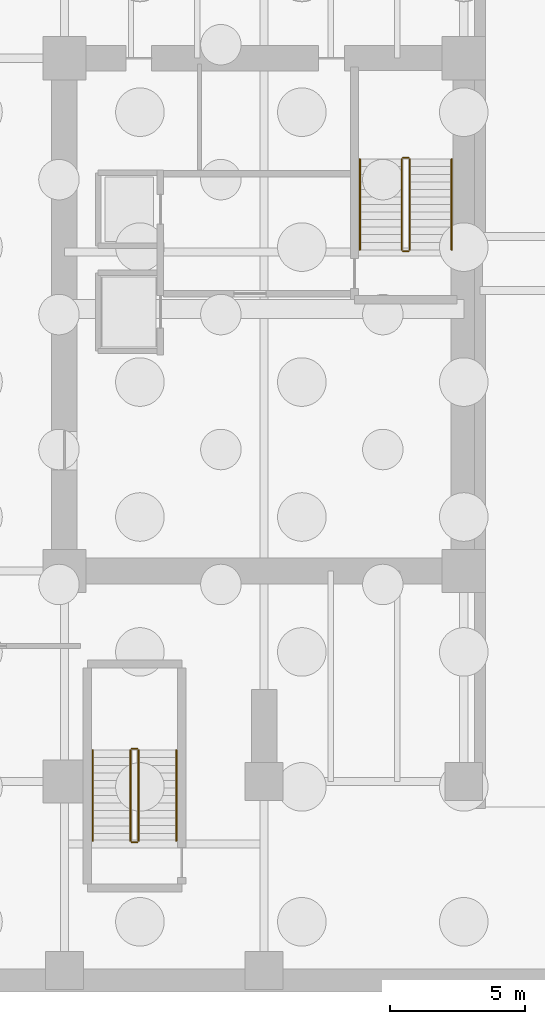
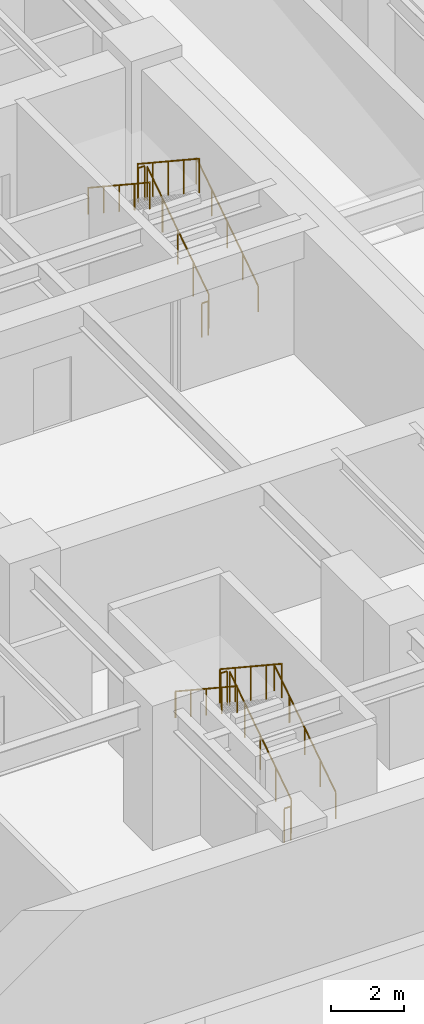
# One storey, part 7 of 8: 12 railings.
"""IFC4 building model written with IfcOpenShell, lengths in metres."""

from ifc_helpers import new_model, si_unit, direction, frame, origin, origin_2d, place, context, subcontext, project, spatial, circle, extrude, source, transform, mapped, material, type_object, type_shapes, element, save


model = new_model("IFC4")

# Units and contexts
model_context = context("Model", 3, precision=1e-05, world=origin(), true_north=direction((0.0, 1.0)))
body_context = subcontext(model_context, "Body", "Model", "MODEL_VIEW")
ifc_project = project(units=[si_unit("LENGTHUNIT", "METRE"), si_unit("AREAUNIT", "SQUARE_METRE"), si_unit("VOLUMEUNIT", "CUBIC_METRE"), si_unit("PLANEANGLEUNIT", "RADIAN"), si_unit("MASSUNIT", "GRAM", prefix="KILO")], contexts=[model_context])

# Site, building, storey
site_placement = place(None, origin())
site = spatial("IfcSite", under=ifc_project, at=site_placement, CompositionType="ELEMENT")
building_placement = place(site_placement, origin())
building = spatial("IfcBuilding", under=site, at=building_placement, Name="Haelvirn Gate Laboratories", CompositionType="ELEMENT")
storey_placement = place(building_placement, frame((0.0, 0.0, -14.39990234375)))
storey = spatial("IfcBuildingStorey", under=building, at=storey_placement, Name="B3", CompositionType="ELEMENT", Elevation=-14.39990234375)

# Railings
ifc_material_1 = material(Name="Galvanised steel SM355 & stainless top rail", Category="steel")
railing_type_1 = type_object("IfcRailingType", Name="RL-GUARD-1150", PredefinedType="GUARDRAIL", material=ifc_material_1)
shared_shape_1 = source(origin(), body_context, "Body", "SweptSolid", [
    extrude(circle(Radius=0.02392578125, at=origin_2d()), frame((0.0, 0.0, 1.1259765625), z_axis=(0.0, 0.834876476806, 0.550437342915), x_axis=(-1.0, 0.0, 0.0)), (0.0, 0.0, 1.0), 4.024658203125),
    extrude(circle(Radius=0.02099609375, at=origin_2d()), origin(), (0.0, 0.0, 1.0), 1.101806640625),
    extrude(circle(Radius=0.02099609375, at=origin_2d()), frame((0.0, 0.840087890625, 0.5537109375)), (0.0, 0.0, 1.0), 1.101806640625),
    extrude(circle(Radius=0.02099609375, at=origin_2d()), frame((0.0, 1.68017578125, 1.107666015625)), (0.0, 0.0, 1.0), 1.101806640625),
    extrude(circle(Radius=0.02099609375, at=origin_2d()), frame((0.0, 2.52001953125, 1.66162109375)), (0.0, 0.0, 1.0), 1.101806640625),
    extrude(circle(Radius=0.02099609375, at=origin_2d()), frame((0.0, 3.360107421875, 2.21533203125)), (0.0, 0.0, 1.0), 1.101806640625),
])
railing_1_placement = place(storey_placement, frame((65.39990234375, 26.699951171875, 0.1845703125)))
element("IfcRailing", 1, at=railing_1_placement, inside=storey, type_object=railing_type_1, Name="B3 ST2 stair guard 1", PredefinedType="GUARDRAIL", context=body_context, shape_type="MappedRepresentation", body=[
    mapped(shared_shape_1, transform((0.0, 0.0, 0.0), scale=1.0)),
])
shared_shape_2 = source(origin(), body_context, "Body", "SweptSolid", [
    extrude(circle(Radius=0.02392578125, at=origin_2d()), frame((0.0, 0.0, 1.1259765625), z_axis=(-1.0, 0.0, 0.0), x_axis=(0.0, -1.0, 0.0)), (0.0, 0.0, 1.0), 0.199951171875),
    extrude(circle(Radius=0.02099609375, at=origin_2d()), origin(), (0.0, 0.0, 1.0), 1.101806640625),
    extrude(circle(Radius=0.02099609375, at=origin_2d()), frame((-0.199951171875, 0.0, 0.0)), (0.0, 0.0, 1.0), 1.101806640625),
])
for number, where, name in (
    (2, (55.300048828125, 8.2099609375, 2.39990234375), "B3 ST4 stair guard 2"),
    (3, (55.300048828125, 4.75, 0.0), "B3 ST4 stair guard 4"),
):
    element("IfcRailing", number, at=place(storey_placement, frame(where)), inside=storey, type_object=railing_type_1, Name=name, PredefinedType="GUARDRAIL", context=body_context, shape_type="MappedRepresentation", body=[
        mapped(shared_shape_2, transform((0.0, 0.0, 0.0), scale=1.0)),
    ])
shared_shape_3 = source(origin(), body_context, "Body", "SweptSolid", [
    extrude(circle(Radius=0.02392578125, at=origin_2d()), frame((0.0, 0.0, 1.1259765625), z_axis=(0.0, -0.834876476806, 0.550437342915), x_axis=(1.0, 0.0, 0.0)), (0.0, 0.0, 1.0), 4.024658203125),
    extrude(circle(Radius=0.02099609375, at=origin_2d()), origin(), (0.0, 0.0, 1.0), 1.101806640625),
    extrude(circle(Radius=0.02099609375, at=origin_2d()), frame((0.0, -0.840087890625, 0.5537109375)), (0.0, 0.0, 1.0), 1.101806640625),
    extrude(circle(Radius=0.02099609375, at=origin_2d()), frame((0.0, -1.68017578125, 1.107666015625)), (0.0, 0.0, 1.0), 1.101806640625),
    extrude(circle(Radius=0.02099609375, at=origin_2d()), frame((0.0, -2.52001953125, 1.66162109375)), (0.0, 0.0, 1.0), 1.101806640625),
    extrude(circle(Radius=0.02099609375, at=origin_2d()), frame((0.0, -3.360107421875, 2.21533203125)), (0.0, 0.0, 1.0), 1.101806640625),
])
railing_2_placement = place(storey_placement, frame((65.10009765625, 30.06005859375, 2.58447265625)))
element("IfcRailing", 4, at=railing_2_placement, inside=storey, type_object=railing_type_1, Name="B3 ST2 stair guard 3", PredefinedType="GUARDRAIL", context=body_context, shape_type="MappedRepresentation", body=[
    mapped(shared_shape_3, transform((0.0, 0.0, 0.0), scale=1.0)),
])
ifc_material_2 = material(Name="Brushed stainless steel 316L", Category="steel")
railing_type_2 = type_object("IfcRailingType", Name="RL-HAND-920", PredefinedType="HANDRAIL", material=ifc_material_2)
shared_shape_4 = source(origin(), body_context, "Body", "SweptSolid", [
    extrude(circle(Radius=0.02392578125, at=origin_2d()), frame((0.0, 0.0, 0.8759765625), z_axis=(0.0, 0.834876476806, 0.550437342915), x_axis=(-1.0, 0.0, 0.0)), (0.0, 0.0, 1.0), 4.024658203125),
    extrude(circle(Radius=0.02099609375, at=origin_2d()), origin(), (0.0, 0.0, 1.0), 0.851806640625),
    extrude(circle(Radius=0.02099609375, at=origin_2d()), frame((0.0, 0.840087890625, 0.5537109375)), (0.0, 0.0, 1.0), 0.851806640625),
    extrude(circle(Radius=0.02099609375, at=origin_2d()), frame((0.0, 1.68017578125, 1.107666015625)), (0.0, 0.0, 1.0), 0.851806640625),
    extrude(circle(Radius=0.02099609375, at=origin_2d()), frame((0.0, 2.52001953125, 1.66162109375)), (0.0, 0.0, 1.0), 0.851806640625),
    extrude(circle(Radius=0.02099609375, at=origin_2d()), frame((0.0, 3.360107421875, 2.21533203125)), (0.0, 0.0, 1.0), 0.851806640625),
])
railing_3_placement = place(storey_placement, frame((66.949951171875, 26.699951171875, 0.1845703125)))
element("IfcRailing", 5, at=railing_3_placement, inside=storey, type_object=railing_type_2, Name="B3 ST2 stair handrail 1", PredefinedType="HANDRAIL", context=body_context, shape_type="MappedRepresentation", body=[
    mapped(shared_shape_4, transform((0.0, 0.0, 0.0), scale=1.0)),
])
shared_shape_5 = source(origin(), body_context, "Body", "SweptSolid", [
    extrude(circle(Radius=0.02392578125, at=origin_2d()), frame((0.0, 0.0, 0.8759765625), z_axis=(0.0, -0.834876476806, 0.550437342915), x_axis=(1.0, 0.0, 0.0)), (0.0, 0.0, 1.0), 4.024658203125),
    extrude(circle(Radius=0.02099609375, at=origin_2d()), origin(), (0.0, 0.0, 1.0), 0.851806640625),
    extrude(circle(Radius=0.02099609375, at=origin_2d()), frame((0.0, -0.840087890625, 0.5537109375)), (0.0, 0.0, 1.0), 0.851806640625),
    extrude(circle(Radius=0.02099609375, at=origin_2d()), frame((0.0, -1.68017578125, 1.107666015625)), (0.0, 0.0, 1.0), 0.851806640625),
    extrude(circle(Radius=0.02099609375, at=origin_2d()), frame((0.0, -2.52001953125, 1.66162109375)), (0.0, 0.0, 1.0), 0.851806640625),
    extrude(circle(Radius=0.02099609375, at=origin_2d()), frame((0.0, -3.360107421875, 2.21533203125)), (0.0, 0.0, 1.0), 0.851806640625),
])
railing_4_placement = place(storey_placement, frame((63.550048828125, 30.06005859375, 2.58447265625)))
element("IfcRailing", 6, at=railing_4_placement, inside=storey, type_object=railing_type_2, Name="B3 ST2 stair handrail 2", PredefinedType="HANDRAIL", context=body_context, shape_type="MappedRepresentation", body=[
    mapped(shared_shape_5, transform((0.0, 0.0, 0.0), scale=1.0)),
])
shared_shape_6 = source(origin(), body_context, "Body", "SweptSolid", [
    extrude(circle(Radius=0.02392578125, at=origin_2d()), frame((0.0, 0.0, 1.1259765625), z_axis=(-1.0, 0.0, 0.0), x_axis=(0.0, -1.0, 0.0)), (0.0, 0.0, 1.0), 0.2001953125),
    extrude(circle(Radius=0.02099609375, at=origin_2d()), origin(), (0.0, 0.0, 1.0), 1.101806640625),
    extrude(circle(Radius=0.02099609375, at=origin_2d()), frame((-0.2001953125, 0.0, 0.0)), (0.0, 0.0, 1.0), 1.101806640625),
])
for number, where, name in (
    (7, (65.35009765625, 30.110107421875, 2.39990234375), "B3 ST2 stair guard 2"),
    (8, (65.35009765625, 26.64990234375, 0.0), "B3 ST2 stair guard 4"),
):
    element("IfcRailing", number, at=place(storey_placement, frame(where)), inside=storey, type_object=railing_type_1, Name=name, PredefinedType="GUARDRAIL", context=body_context, shape_type="MappedRepresentation", body=[
        mapped(shared_shape_6, transform((0.0, 0.0, 0.0), scale=1.0)),
    ])
shared_shape_7 = source(origin(), body_context, "Body", "SweptSolid", [
    extrude(circle(Radius=0.02392578125, at=origin_2d()), frame((0.0, 0.0, 1.1259765625), z_axis=(0.0, 0.834858096282, 0.550465220583), x_axis=(-1.0, 0.0, 0.0)), (0.0, 0.0, 1.0), 4.0244140625),
    extrude(circle(Radius=0.02099609375, at=origin_2d()), origin(), (0.0, 0.0, 1.0), 1.101806640625),
    extrude(circle(Radius=0.02099609375, at=origin_2d()), frame((0.0, 0.83984375, 0.5537109375)), (0.0, 0.0, 1.0), 1.101806640625),
    extrude(circle(Radius=0.02099609375, at=origin_2d()), frame((0.0, 1.679931640625, 1.107666015625)), (0.0, 0.0, 1.0), 1.101806640625),
    extrude(circle(Radius=0.02099609375, at=origin_2d()), frame((0.0, 2.52001953125, 1.66162109375)), (0.0, 0.0, 1.0), 1.101806640625),
    extrude(circle(Radius=0.02099609375, at=origin_2d()), frame((0.0, 3.35986328125, 2.21533203125)), (0.0, 0.0, 1.0), 1.101806640625),
])
railing_5_placement = place(storey_placement, frame((55.35009765625, 4.800048828125, 0.1845703125)))
element("IfcRailing", 9, at=railing_5_placement, inside=storey, type_object=railing_type_1, Name="B3 ST4 stair guard 1", PredefinedType="GUARDRAIL", context=body_context, shape_type="MappedRepresentation", body=[
    mapped(shared_shape_7, transform((0.0, 0.0, 0.0), scale=1.0)),
])
shared_shape_8 = source(origin(), body_context, "Body", "SweptSolid", [
    extrude(circle(Radius=0.02392578125, at=origin_2d()), frame((0.0, 0.0, 1.1259765625), z_axis=(0.0, -0.834858096282, 0.550465220583), x_axis=(1.0, 0.0, 0.0)), (0.0, 0.0, 1.0), 4.0244140625),
    extrude(circle(Radius=0.02099609375, at=origin_2d()), origin(), (0.0, 0.0, 1.0), 1.101806640625),
    extrude(circle(Radius=0.02099609375, at=origin_2d()), frame((0.0, -0.83984375, 0.5537109375)), (0.0, 0.0, 1.0), 1.101806640625),
    extrude(circle(Radius=0.02099609375, at=origin_2d()), frame((0.0, -1.679931640625, 1.107666015625)), (0.0, 0.0, 1.0), 1.101806640625),
    extrude(circle(Radius=0.02099609375, at=origin_2d()), frame((0.0, -2.52001953125, 1.66162109375)), (0.0, 0.0, 1.0), 1.101806640625),
    extrude(circle(Radius=0.02099609375, at=origin_2d()), frame((0.0, -3.35986328125, 2.21533203125)), (0.0, 0.0, 1.0), 1.101806640625),
])
type_shapes(railing_type_1, [shared_shape_1, shared_shape_2, shared_shape_3, shared_shape_6, shared_shape_7, shared_shape_8])
railing_6_placement = place(storey_placement, frame((55.050048828125, 8.159912109375, 2.58447265625)))
element("IfcRailing", 10, at=railing_6_placement, inside=storey, type_object=railing_type_1, Name="B3 ST4 stair guard 3", PredefinedType="GUARDRAIL", context=body_context, shape_type="MappedRepresentation", body=[
    mapped(shared_shape_8, transform((0.0, 0.0, 0.0), scale=1.0)),
])
shared_shape_9 = source(origin(), body_context, "Body", "SweptSolid", [
    extrude(circle(Radius=0.02392578125, at=origin_2d()), frame((0.0, 0.0, 0.8759765625), z_axis=(0.0, 0.834858096282, 0.550465220583), x_axis=(-1.0, 0.0, 0.0)), (0.0, 0.0, 1.0), 4.0244140625),
    extrude(circle(Radius=0.02099609375, at=origin_2d()), origin(), (0.0, 0.0, 1.0), 0.851806640625),
    extrude(circle(Radius=0.02099609375, at=origin_2d()), frame((0.0, 0.83984375, 0.5537109375)), (0.0, 0.0, 1.0), 0.851806640625),
    extrude(circle(Radius=0.02099609375, at=origin_2d()), frame((0.0, 1.679931640625, 1.107666015625)), (0.0, 0.0, 1.0), 0.851806640625),
    extrude(circle(Radius=0.02099609375, at=origin_2d()), frame((0.0, 2.52001953125, 1.66162109375)), (0.0, 0.0, 1.0), 0.851806640625),
    extrude(circle(Radius=0.02099609375, at=origin_2d()), frame((0.0, 3.35986328125, 2.21533203125)), (0.0, 0.0, 1.0), 0.851806640625),
])
railing_7_placement = place(storey_placement, frame((56.75, 4.800048828125, 0.1845703125)))
element("IfcRailing", 11, at=railing_7_placement, inside=storey, type_object=railing_type_2, Name="B3 ST4 stair handrail 1", PredefinedType="HANDRAIL", context=body_context, shape_type="MappedRepresentation", body=[
    mapped(shared_shape_9, transform((0.0, 0.0, 0.0), scale=1.0)),
])
shared_shape_10 = source(origin(), body_context, "Body", "SweptSolid", [
    extrude(circle(Radius=0.02392578125, at=origin_2d()), frame((0.0, 0.0, 0.8759765625), z_axis=(0.0, -0.834858096282, 0.550465220583), x_axis=(1.0, 0.0, 0.0)), (0.0, 0.0, 1.0), 4.0244140625),
    extrude(circle(Radius=0.02099609375, at=origin_2d()), origin(), (0.0, 0.0, 1.0), 0.851806640625),
    extrude(circle(Radius=0.02099609375, at=origin_2d()), frame((0.0, -0.83984375, 0.5537109375)), (0.0, 0.0, 1.0), 0.851806640625),
    extrude(circle(Radius=0.02099609375, at=origin_2d()), frame((0.0, -1.679931640625, 1.107666015625)), (0.0, 0.0, 1.0), 0.851806640625),
    extrude(circle(Radius=0.02099609375, at=origin_2d()), frame((0.0, -2.52001953125, 1.66162109375)), (0.0, 0.0, 1.0), 0.851806640625),
    extrude(circle(Radius=0.02099609375, at=origin_2d()), frame((0.0, -3.35986328125, 2.21533203125)), (0.0, 0.0, 1.0), 0.851806640625),
])
type_shapes(railing_type_2, [shared_shape_4, shared_shape_5, shared_shape_9, shared_shape_10])
railing_8_placement = place(storey_placement, frame((53.64990234375, 8.159912109375, 2.58447265625)))
element("IfcRailing", 12, at=railing_8_placement, inside=storey, type_object=railing_type_2, Name="B3 ST4 stair handrail 2", PredefinedType="HANDRAIL", context=body_context, shape_type="MappedRepresentation", body=[
    mapped(shared_shape_10, transform((0.0, 0.0, 0.0), scale=1.0)),
])

save(model, "model.ifc")
